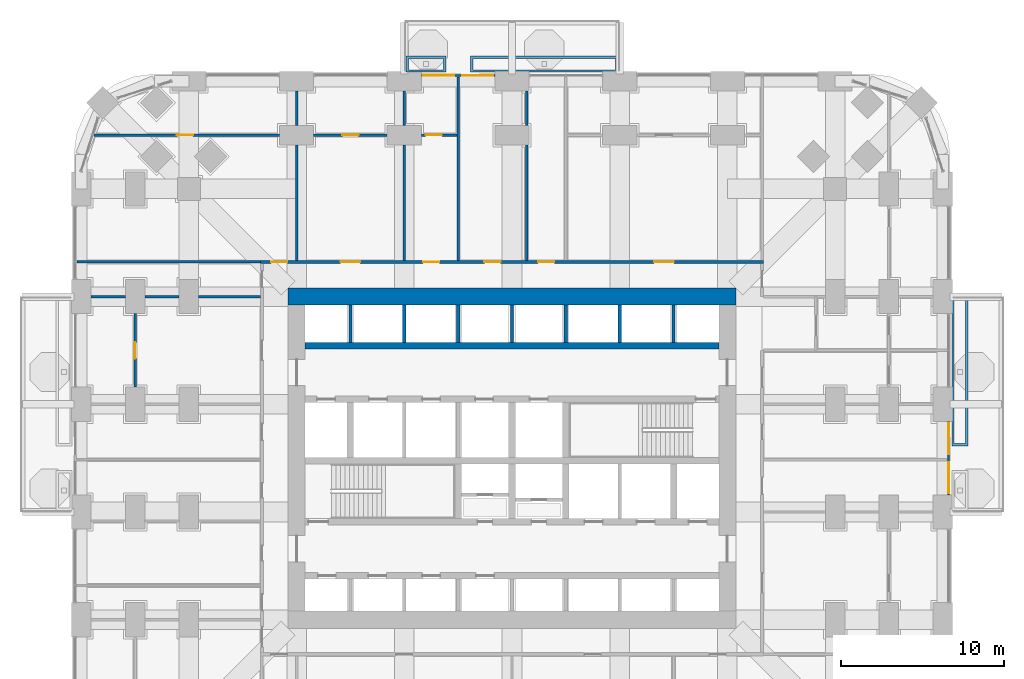
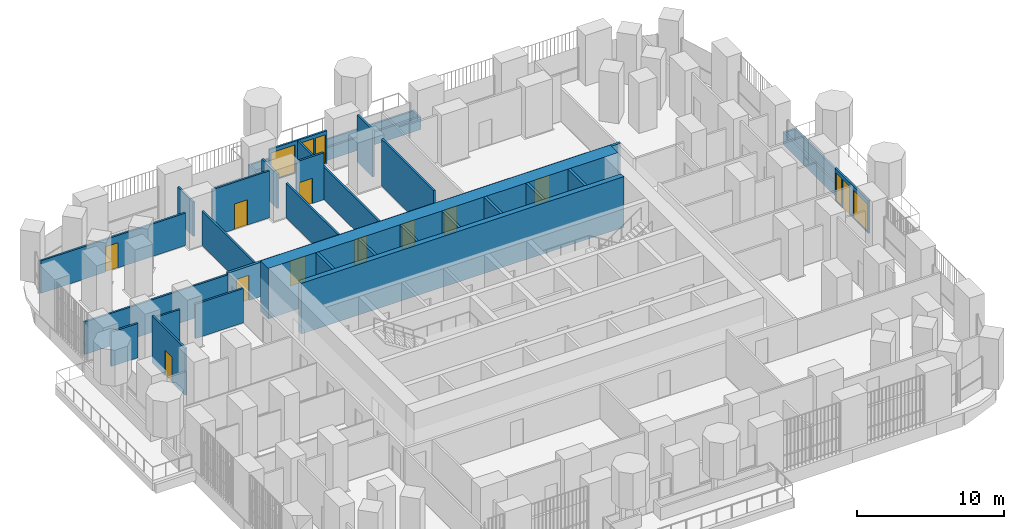
# One storey, part 20 of 26: 30 walls, 12 doors, 4 windows, 16 openings.
"""IFC4 building model written with IfcOpenShell, lengths in metres."""

from ifc_helpers import new_model, si_unit, direction, frame, frame_2d, origin, place, context, subcontext, project, spatial, polyline, rectangle, outline, extrude, material, layer, layer_set, type_object, element, fill, save


model = new_model("IFC4")

# Units and contexts
model_context = context("Model", 3, precision=1e-05, world=origin(), true_north=direction((0.0, 1.0)))
body_context = subcontext(model_context, "Body", "Model", "MODEL_VIEW")
ifc_project = project(units=[si_unit("LENGTHUNIT", "METRE"), si_unit("AREAUNIT", "SQUARE_METRE"), si_unit("VOLUMEUNIT", "CUBIC_METRE"), si_unit("PLANEANGLEUNIT", "RADIAN"), si_unit("MASSUNIT", "GRAM", prefix="KILO")], contexts=[model_context])

# Site, building, storey
site_placement = place(None, origin())
site = spatial("IfcSite", under=ifc_project, at=site_placement, CompositionType="ELEMENT")
building_placement = place(site_placement, origin())
building = spatial("IfcBuilding", under=site, at=building_placement, Name="Cobogo Forest Laboratory Tower", CompositionType="ELEMENT")
storey_placement = place(building_placement, frame((0.0, 0.0, 25.5)))
storey = spatial("IfcBuildingStorey", under=building, at=storey_placement, Name="L05", CompositionType="ELEMENT", Elevation=25.5)

# Walls
ifc_material_1 = material(Name="Concrete HA-50 (C50/60)", Category="concrete")
ifc_layer_1 = layer(ifc_material_1, 0.39990234375)
ifc_layer_set_1 = layer_set([ifc_layer_1], Name="CI400 core inner wall 400")
wall_type_1 = type_object("IfcWallType", Name="CI400 core inner wall 400", PredefinedType="SHEAR", material=ifc_layer_set_1)
wall_1_placement = place(storey_placement, frame((13.72509765625, 30.0, 0.0), z_axis=(0.0, 0.0, 1.0), x_axis=(1.0, 0.0, 0.0)))
element("IfcWall", 1, at=wall_1_placement, inside=storey, type_object=wall_type_1, Name="Core wall CI-30.0 L05", PredefinedType="SHEAR", context=body_context, shape_type="SweptSolid", body=[
    extrude(rectangle(XDim=25.349853515625, YDim=0.39990234375, at=frame_2d((12.6748046875, 0.0))), origin(), (0.0, 0.0, 1.0), 4.199951171875),
])
ifc_layer_2 = layer(ifc_material_1, 1.050048828125)
ifc_layer_set_2 = layer_set([ifc_layer_2], Name="CW1050 core outer wall 1050")
wall_type_2 = type_object("IfcWallType", Name="CW1050 core outer wall 1050", PredefinedType="SHEAR", material=ifc_layer_set_2)
wall_2_placement = place(storey_placement, frame((40.125, 33.0, 0.0), z_axis=(0.0, 0.0, 1.0), x_axis=(-1.0, 0.0, 0.0)))
element("IfcWall", 2, at=wall_2_placement, inside=storey, type_object=wall_type_2, Name="Core wall CO-N L05", PredefinedType="SHEAR", context=body_context, shape_type="SweptSolid", body=[
    extrude(rectangle(XDim=27.449951171875, YDim=1.050048828125, at=frame_2d((13.72509765625, 0.0))), origin(), (0.0, 0.0, 1.0), 4.199951171875),
])

# Wall, openings, door, windows
ifc_material_2 = material(Name="Aluminium framed glazed screen", Category="aluminium")
ifc_layer_3 = layer(ifc_material_2, 0.14990234375)
ifc_layer_set_3 = layer_set([ifc_layer_3], Name="GS1 glazed door screen 150")
wall_type_3 = type_object("IfcWallType", Name="GS1 glazed door screen 150", PredefinedType="SOLIDWALL", material=ifc_layer_set_3)
wall_3_placement = place(storey_placement, frame((53.14990234375, 20.85009765625, 0.0), z_axis=(0.0, 0.0, 1.0), x_axis=(0.0, 1.0, 0.0)))
wall_3 = element("IfcWall", 3, at=wall_3_placement, inside=storey, type_object=wall_type_3, Name="Door screen BAL-E1 L05", PredefinedType="SOLIDWALL", context=body_context, shape_type="SweptSolid", body=[
    extrude(rectangle(XDim=4.5, YDim=0.14990234375, at=frame_2d((2.25, 0.0))), origin(), (0.0, 0.0, 1.0), 2.699951171875),
])
opening_1_placement = place(wall_3_placement, frame((2.5, 0.0, 0.0)))
opening_1 = element("IfcOpeningElement", 4, at=opening_1_placement, cuts=wall_3, Name="Opening L05-D25", PredefinedType="OPENING", context=body_context, shape_type="SweptSolid", body=[
    extrude(rectangle(XDim=1.0, YDim=2.39990234375, at=frame_2d((0.5, 1.199951171875))), frame((0.0, 0.0849609375, 0.0), z_axis=(0.0, -1.0, 0.0), x_axis=(1.0, 0.0, 0.0)), (0.0, 0.0, 1.0), 0.169921875),
])
opening_2_placement = place(wall_3_placement, frame((0.10009765625, 0.0, 0.10009765625)))
opening_2 = element("IfcOpeningElement", 5, at=opening_2_placement, cuts=wall_3, Name="Opening L05-W04", PredefinedType="OPENING", context=body_context, shape_type="SweptSolid", body=[
    extrude(rectangle(XDim=1.89990234375, YDim=2.300048828125, at=frame_2d((0.949951171875, 1.14990234375))), frame((0.0, 0.0849609375, 0.0), z_axis=(0.0, -1.0, 0.0), x_axis=(1.0, 0.0, 0.0)), (0.0, 0.0, 1.0), 0.169921875),
])
opening_3_placement = place(wall_3_placement, frame((3.60009765625, 0.0, 0.10009765625)))
opening_3 = element("IfcOpeningElement", 6, at=opening_3_placement, cuts=wall_3, Name="Opening L05-W06", PredefinedType="OPENING", context=body_context, shape_type="SweptSolid", body=[
    extrude(rectangle(XDim=0.800048828125, YDim=2.300048828125, at=frame_2d((0.39990234375, 1.14990234375))), frame((0.0, 0.0849609375, 0.0), z_axis=(0.0, -1.0, 0.0), x_axis=(1.0, 0.0, 0.0)), (0.0, 0.0, 1.0), 0.169921875),
])
ifc_material_3 = material(Name="Aluminium glazed door", Category="aluminium")
door_type_1 = type_object("IfcDoorType", Name="DB1 balcony door 1000 glazed", OperationType="SINGLE_SWING_LEFT", PredefinedType="DOOR", material=ifc_material_3)
door_1_placement = place(opening_1_placement, origin())
door_1 = element("IfcDoor", 7, at=door_1_placement, inside=storey, type_object=door_type_1, Name="Door L05-BAL-E1", OperationType="SINGLE_SWING_RIGHT", OverallHeight=2.39990234375, OverallWidth=1.0, PredefinedType="DOOR", context=body_context, shape_type="SweptSolid", body=[
    extrude(rectangle(XDim=1.0, YDim=2.39990234375, at=frame_2d((0.5, 1.199951171875))), frame((0.0, 0.02490234375, 0.0), z_axis=(0.0, -1.0, 0.0), x_axis=(1.0, 0.0, 0.0)), (0.0, 0.0, 1.0), 0.050048828125),
])
fill(opening_1, door_1)
ifc_material_4 = material(Name="Aluminium framed glazing", Category="aluminium")
window_type_1 = type_object("IfcWindowType", Name="WG3 fixed glazed light 1900x2300", PartitioningType="SINGLE_PANEL", PredefinedType="WINDOW", material=ifc_material_4)
window_1_placement = place(opening_2_placement, origin())
window_1 = element("IfcWindow", 8, at=window_1_placement, inside=storey, type_object=window_type_1, Name="Window L05-BAL-E1-1", OverallHeight=2.300048828125, OverallWidth=1.89990234375, PartitioningType="SINGLE_PANEL", PredefinedType="WINDOW", context=body_context, shape_type="SweptSolid", body=[
    extrude(rectangle(XDim=1.89990234375, YDim=2.300048828125, at=frame_2d((0.949951171875, 1.14990234375))), frame((0.0, 0.030029296875, 0.0), z_axis=(0.0, -1.0, 0.0), x_axis=(1.0, 0.0, 0.0)), (0.0, 0.0, 1.0), 0.06005859375),
])
fill(opening_2, window_1)
window_type_2 = type_object("IfcWindowType", Name="WG4 fixed glazed light 800x2300", PartitioningType="SINGLE_PANEL", PredefinedType="WINDOW", material=ifc_material_4)
window_2_placement = place(opening_3_placement, origin())
window_2 = element("IfcWindow", 9, at=window_2_placement, inside=storey, type_object=window_type_2, Name="Window L05-BAL-E1-2", OverallHeight=2.300048828125, OverallWidth=0.800048828125, PartitioningType="SINGLE_PANEL", PredefinedType="WINDOW", context=body_context, shape_type="SweptSolid", body=[
    extrude(rectangle(XDim=0.800048828125, YDim=2.300048828125, at=frame_2d((0.39990234375, 1.14990234375))), frame((0.0, 0.030029296875, 0.0), z_axis=(0.0, -1.0, 0.0), x_axis=(1.0, 0.0, 0.0)), (0.0, 0.0, 1.0), 0.06005859375),
])
fill(opening_3, window_2)

wall_4_placement = place(storey_placement, frame((25.35009765625, 46.550048828125, 0.0), z_axis=(0.0, 0.0, 1.0), x_axis=(-1.0, 0.0, 0.0)))
wall_4 = element("IfcWall", 10, at=wall_4_placement, inside=storey, type_object=wall_type_3, Name="Door screen BAL-N1 L05", PredefinedType="SOLIDWALL", context=body_context, shape_type="SweptSolid", body=[
    extrude(rectangle(XDim=4.5, YDim=0.14990234375, at=frame_2d((2.25, 0.0))), origin(), (0.0, 0.0, 1.0), 2.699951171875),
])
opening_4_placement = place(wall_4_placement, frame((1.0, 0.0, 0.0)))
opening_4 = element("IfcOpeningElement", 11, at=opening_4_placement, cuts=wall_4, Name="Opening L05-D50", PredefinedType="OPENING", context=body_context, shape_type="SweptSolid", body=[
    extrude(rectangle(XDim=1.0, YDim=2.39990234375, at=frame_2d((0.5, 1.199951171875))), frame((0.0, 0.0849609375, 0.0), z_axis=(0.0, -1.0, 0.0), x_axis=(1.0, 0.0, 0.0)), (0.0, 0.0, 1.0), 0.169921875),
])
opening_5_placement = place(wall_4_placement, frame((0.10009765625, 0.0, 0.10009765625)))
opening_5 = element("IfcOpeningElement", 12, at=opening_5_placement, cuts=wall_4, Name="Opening L05-W08", PredefinedType="OPENING", context=body_context, shape_type="SweptSolid", body=[
    extrude(rectangle(XDim=0.800048828125, YDim=2.300048828125, at=frame_2d((0.39990234375, 1.14990234375))), frame((0.0, 0.0849609375, 0.0), z_axis=(0.0, -1.0, 0.0), x_axis=(1.0, 0.0, 0.0)), (0.0, 0.0, 1.0), 0.169921875),
])
opening_6_placement = place(wall_4_placement, frame((2.5, 0.0, 0.10009765625)))
opening_6 = element("IfcOpeningElement", 13, at=opening_6_placement, cuts=wall_4, Name="Opening L05-W07", PredefinedType="OPENING", context=body_context, shape_type="SweptSolid", body=[
    extrude(rectangle(XDim=1.89990234375, YDim=2.300048828125, at=frame_2d((0.949951171875, 1.14990234375))), frame((0.0, 0.0849609375, 0.0), z_axis=(0.0, -1.0, 0.0), x_axis=(1.0, 0.0, 0.0)), (0.0, 0.0, 1.0), 0.169921875),
])
door_2_placement = place(opening_4_placement, origin())
door_2 = element("IfcDoor", 14, at=door_2_placement, inside=storey, type_object=door_type_1, Name="Door L05-BAL-N1", OperationType="SINGLE_SWING_LEFT", OverallHeight=2.39990234375, OverallWidth=1.0, PredefinedType="DOOR", context=body_context, shape_type="SweptSolid", body=[
    extrude(rectangle(XDim=1.0, YDim=2.39990234375, at=frame_2d((0.5, 1.199951171875))), frame((0.0, 0.02490234375, 0.0), z_axis=(0.0, -1.0, 0.0), x_axis=(1.0, 0.0, 0.0)), (0.0, 0.0, 1.0), 0.050048828125),
])
fill(opening_4, door_2)
window_3_placement = place(opening_6_placement, origin())
window_3 = element("IfcWindow", 15, at=window_3_placement, inside=storey, type_object=window_type_1, Name="Window L05-BAL-N1-2", OverallHeight=2.300048828125, OverallWidth=1.89990234375, PartitioningType="SINGLE_PANEL", PredefinedType="WINDOW", context=body_context, shape_type="SweptSolid", body=[
    extrude(rectangle(XDim=1.89990234375, YDim=2.300048828125, at=frame_2d((0.949951171875, 1.14990234375))), frame((0.0, 0.030029296875, 0.0), z_axis=(0.0, -1.0, 0.0), x_axis=(1.0, 0.0, 0.0)), (0.0, 0.0, 1.0), 0.06005859375),
])
fill(opening_6, window_3)
window_4_placement = place(opening_5_placement, origin())
window_4 = element("IfcWindow", 16, at=window_4_placement, inside=storey, type_object=window_type_2, Name="Window L05-BAL-N1-1", OverallHeight=2.300048828125, OverallWidth=0.800048828125, PartitioningType="SINGLE_PANEL", PredefinedType="WINDOW", context=body_context, shape_type="SweptSolid", body=[
    extrude(rectangle(XDim=0.800048828125, YDim=2.300048828125, at=frame_2d((0.39990234375, 1.14990234375))), frame((0.0, 0.030029296875, 0.0), z_axis=(0.0, -1.0, 0.0), x_axis=(1.0, 0.0, 0.0)), (0.0, 0.0, 1.0), 0.06005859375),
])
fill(opening_5, window_4)

# Wall
ifc_material_5 = material(Name="Gypsum board on steel studs", Category="steel")
ifc_layer_4 = layer(ifc_material_5, 0.14990234375)
ifc_layer_set_4 = layer_set([ifc_layer_4], Name="PT1 laboratory partition 150")
wall_type_4 = type_object("IfcWallType", Name="PT1 laboratory partition 150", PredefinedType="PARTITIONING", material=ifc_layer_set_4)
wall_5_placement = place(storey_placement, frame((-0.27001953125, 35.125, 0.0), z_axis=(0.0, 0.0, 1.0), x_axis=(1.0, 0.0, 0.0)))
element("IfcWall", 17, at=wall_5_placement, inside=storey, type_object=wall_type_4, Name="Partition PW-NW L05", PredefinedType="PARTITIONING", context=body_context, shape_type="SweptSolid", body=[
    extrude(rectangle(XDim=11.2451171875, YDim=0.14990234375, at=frame_2d((5.62255859375, 0.0))), origin(), (0.0, 0.0, 1.0), 2.699951171875),
])

# Wall, opening, door
wall_6_placement = place(storey_placement, frame((23.02490234375, 42.89990234375, 0.0), z_axis=(0.0, 0.0, 1.0), x_axis=(-1.0, 0.0, 0.0)))
wall_6 = element("IfcWall", 18, at=wall_6_placement, inside=storey, type_object=wall_type_4, Name="Partition STRIP-N-4 L05", PredefinedType="PARTITIONING", context=body_context, shape_type="SweptSolid", body=[
    extrude(rectangle(XDim=2.1748046875, YDim=0.14990234375, at=frame_2d((1.08740234375, 0.0))), origin(), (0.0, 0.0, 1.0), 3.89990234375),
])
opening_7_placement = place(wall_6_placement, frame((0.925048828125, 0.0, 0.0)))
opening_7 = element("IfcOpeningElement", 19, at=opening_7_placement, cuts=wall_6, Name="Opening L05-D48", PredefinedType="OPENING", context=body_context, shape_type="SweptSolid", body=[
    extrude(rectangle(XDim=1.0, YDim=2.10009765625, at=frame_2d((0.5, 1.050048828125))), frame((0.0, 0.0849609375, 0.0), z_axis=(0.0, -1.0, 0.0), x_axis=(1.0, 0.0, 0.0)), (0.0, 0.0, 1.0), 0.169921875),
])
ifc_material_6 = material(Name="Timber fire door", Category="wood")
door_type_2 = type_object("IfcDoorType", Name="FD2 fire door 1000 EI2 30", OperationType="SINGLE_SWING_LEFT", PredefinedType="DOOR", material=ifc_material_6)
door_3_placement = place(opening_7_placement, origin())
door_3 = element("IfcDoor", 20, at=door_3_placement, inside=storey, type_object=door_type_2, Name="Door L05-N3W", OperationType="SINGLE_SWING_RIGHT", OverallHeight=2.10009765625, OverallWidth=1.0, PredefinedType="DOOR", context=body_context, shape_type="SweptSolid", body=[
    extrude(rectangle(XDim=1.0, YDim=2.10009765625, at=frame_2d((0.5, 1.050048828125))), frame((0.0, 0.02490234375, 0.0), z_axis=(0.0, -1.0, 0.0), x_axis=(1.0, 0.0, 0.0)), (0.0, 0.0, 1.0), 0.050048828125),
])
fill(opening_7, door_3)

wall_7_placement = place(storey_placement, frame((18.75, 42.89990234375, 0.0), z_axis=(0.0, 0.0, 1.0), x_axis=(-1.0, 0.0, 0.0)))
wall_7 = element("IfcWall", 21, at=wall_7_placement, inside=storey, type_object=wall_type_4, Name="Partition STRIP-N-5 L05", PredefinedType="PARTITIONING", context=body_context, shape_type="SweptSolid", body=[
    extrude(rectangle(XDim=4.5, YDim=0.14990234375, at=frame_2d((2.25, 0.0))), origin(), (0.0, 0.0, 1.0), 3.89990234375),
])
opening_8_placement = place(wall_7_placement, frame((1.75, 0.0, 0.0)))
opening_8 = element("IfcOpeningElement", 22, at=opening_8_placement, cuts=wall_7, Name="Opening L05-D47", PredefinedType="OPENING", context=body_context, shape_type="SweptSolid", body=[
    extrude(rectangle(XDim=1.0, YDim=2.10009765625, at=frame_2d((0.5, 1.050048828125))), frame((0.0, 0.0849609375, 0.0), z_axis=(0.0, -1.0, 0.0), x_axis=(1.0, 0.0, 0.0)), (0.0, 0.0, 1.0), 0.169921875),
])
door_4_placement = place(opening_8_placement, origin())
door_4 = element("IfcDoor", 23, at=door_4_placement, inside=storey, type_object=door_type_2, Name="Door L05-N2W", OperationType="SINGLE_SWING_LEFT", OverallHeight=2.10009765625, OverallWidth=1.0, PredefinedType="DOOR", context=body_context, shape_type="SweptSolid", body=[
    extrude(rectangle(XDim=1.0, YDim=2.10009765625, at=frame_2d((0.5, 1.050048828125))), frame((0.0, 0.02490234375, 0.0), z_axis=(0.0, -1.0, 0.0), x_axis=(1.0, 0.0, 0.0)), (0.0, 0.0, 1.0), 0.050048828125),
])
fill(opening_8, door_4)

wall_8_placement = place(storey_placement, frame((12.14990234375, 42.89990234375, 0.0), z_axis=(0.0, 0.0, 1.0), x_axis=(-1.0, 0.0, 0.0)))
wall_8 = element("IfcWall", 24, at=wall_8_placement, inside=storey, type_object=wall_type_4, Name="Partition STRIP-N-6 L05", PredefinedType="PARTITIONING", context=body_context, shape_type="SweptSolid", body=[
    extrude(rectangle(XDim=11.373779296875, YDim=0.14990234375, at=frame_2d((5.68701171875, 0.0))), origin(), (0.0, 0.0, 1.0), 2.699951171875),
])
opening_9_placement = place(wall_8_placement, frame((5.2919921875, 0.0, 0.0)))
opening_9 = element("IfcOpeningElement", 25, at=opening_9_placement, cuts=wall_8, Name="Opening L05-D46", PredefinedType="OPENING", context=body_context, shape_type="SweptSolid", body=[
    extrude(rectangle(XDim=1.0, YDim=2.10009765625, at=frame_2d((0.5, 1.050048828125))), frame((0.0, 0.0849609375, 0.0), z_axis=(0.0, -1.0, 0.0), x_axis=(1.0, 0.0, 0.0)), (0.0, 0.0, 1.0), 0.169921875),
])
door_5_placement = place(opening_9_placement, origin())
door_5 = element("IfcDoor", 26, at=door_5_placement, inside=storey, type_object=door_type_2, Name="Door L05-N1W", OperationType="SINGLE_SWING_RIGHT", OverallHeight=2.10009765625, OverallWidth=1.0, PredefinedType="DOOR", context=body_context, shape_type="SweptSolid", body=[
    extrude(rectangle(XDim=1.0, YDim=2.10009765625, at=frame_2d((0.5, 1.050048828125))), frame((0.0, 0.02490234375, 0.0), z_axis=(0.0, -1.0, 0.0), x_axis=(1.0, 0.0, 0.0)), (0.0, 0.0, 1.0), 0.050048828125),
])
fill(opening_9, door_5)

# Walls
wall_9_placement = place(storey_placement, frame((27.300048828125, 45.60009765625, 0.0), z_axis=(0.0, 0.0, 1.0), x_axis=(0.0, -1.0, 0.0)))
element("IfcWall", 27, at=wall_9_placement, inside=storey, type_object=wall_type_4, Name="Partition SVC-N1-1 L05", PredefinedType="PARTITIONING", context=body_context, shape_type="SweptSolid", body=[
    extrude(rectangle(XDim=2.10009765625, YDim=0.14990234375, at=frame_2d((1.050048828125, 0.0))), origin(), (0.0, 0.0, 1.0), 3.89990234375),
])
wall_10_placement = place(storey_placement, frame((27.300048828125, 42.300048828125, 0.0), z_axis=(0.0, 0.0, 1.0), x_axis=(0.0, -1.0, 0.0)))
element("IfcWall", 28, at=wall_10_placement, inside=storey, type_object=wall_type_4, Name="Partition SVC-N1-2 L05", PredefinedType="PARTITIONING", context=body_context, shape_type="SweptSolid", body=[
    extrude(rectangle(XDim=7.074951171875, YDim=0.14990234375, at=frame_2d((3.53759765625, 0.0))), origin(), (0.0, 0.0, 1.0), 3.89990234375),
])
wall_11_placement = place(storey_placement, frame((13.199951171875, 45.60009765625, 0.0), z_axis=(0.0, 0.0, 1.0), x_axis=(0.0, -1.0, 0.0)))
element("IfcWall", 29, at=wall_11_placement, inside=storey, type_object=wall_type_4, Name="Partition CUT-N13.2a-1 L05", PredefinedType="PARTITIONING", context=body_context, shape_type="SweptSolid", body=[
    extrude(rectangle(XDim=2.10009765625, YDim=0.14990234375, at=frame_2d((1.050048828125, 0.0))), origin(), (0.0, 0.0, 1.0), 2.85009765625),
])
wall_12_placement = place(storey_placement, frame((13.199951171875, 42.300048828125, 0.0), z_axis=(0.0, 0.0, 1.0), x_axis=(0.0, -1.0, 0.0)))
element("IfcWall", 30, at=wall_12_placement, inside=storey, type_object=wall_type_4, Name="Partition CUT-N13.2b-1 L05", PredefinedType="PARTITIONING", context=body_context, shape_type="SweptSolid", body=[
    extrude(rectangle(XDim=7.074951171875, YDim=0.14990234375, at=frame_2d((3.53759765625, 0.0))), origin(), (0.0, 0.0, 1.0), 2.85009765625),
])
wall_13_placement = place(storey_placement, frame((19.800048828125, 45.60009765625, 0.0), z_axis=(0.0, 0.0, 1.0), x_axis=(0.0, -1.0, 0.0)))
element("IfcWall", 31, at=wall_13_placement, inside=storey, type_object=wall_type_4, Name="Partition CUT-N19.8a-1 L05", PredefinedType="PARTITIONING", context=body_context, shape_type="SweptSolid", body=[
    extrude(rectangle(XDim=2.10009765625, YDim=0.14990234375, at=frame_2d((1.050048828125, 0.0))), origin(), (0.0, 0.0, 1.0), 2.85009765625),
])
wall_14_placement = place(storey_placement, frame((19.800048828125, 42.300048828125, 0.0), z_axis=(0.0, 0.0, 1.0), x_axis=(0.0, -1.0, 0.0)))
element("IfcWall", 32, at=wall_14_placement, inside=storey, type_object=wall_type_4, Name="Partition CUT-N19.8b-1 L05", PredefinedType="PARTITIONING", context=body_context, shape_type="SweptSolid", body=[
    extrude(rectangle(XDim=7.074951171875, YDim=0.14990234375, at=frame_2d((3.53759765625, 0.0))), origin(), (0.0, 0.0, 1.0), 2.85009765625),
])
wall_15_placement = place(storey_placement, frame((23.10009765625, 46.469970703125, 0.0), z_axis=(0.0, 0.0, 1.0), x_axis=(0.0, -1.0, 0.0)))
element("IfcWall", 33, at=wall_15_placement, inside=storey, type_object=wall_type_4, Name="Partition CUT-N23.1-1 L05", PredefinedType="PARTITIONING", context=body_context, shape_type="SweptSolid", body=[
    extrude(rectangle(XDim=11.244873046875, YDim=0.14990234375, at=frame_2d((5.62255859375, 0.0))), origin(), (0.0, 0.0, 1.0), 2.699951171875),
])

# Wall, opening, door
wall_16_placement = place(storey_placement, frame((3.300048828125, 31.949951171875, 0.0), z_axis=(0.0, 0.0, 1.0), x_axis=(0.0, -1.0, 0.0)))
wall_16 = element("IfcWall", 34, at=wall_16_placement, inside=storey, type_object=wall_type_4, Name="Partition STRIP-W-1 L05", PredefinedType="PARTITIONING", context=body_context, shape_type="SweptSolid", body=[
    extrude(rectangle(XDim=4.5, YDim=0.14990234375, at=frame_2d((2.25, 0.0))), origin(), (0.0, 0.0, 1.0), 3.89990234375),
])
opening_10_placement = place(wall_16_placement, frame((1.75, 0.0, 0.0)))
opening_10 = element("IfcOpeningElement", 35, at=opening_10_placement, cuts=wall_16, Name="Opening L05-D33", PredefinedType="OPENING", context=body_context, shape_type="SweptSolid", body=[
    extrude(rectangle(XDim=1.0, YDim=2.10009765625, at=frame_2d((0.5, 1.050048828125))), frame((0.0, 0.0849609375, 0.0), z_axis=(0.0, -1.0, 0.0), x_axis=(1.0, 0.0, 0.0)), (0.0, 0.0, 1.0), 0.169921875),
])
door_6_placement = place(opening_10_placement, origin())
door_6 = element("IfcDoor", 36, at=door_6_placement, inside=storey, type_object=door_type_2, Name="Door L05-W3W", OperationType="SINGLE_SWING_LEFT", OverallHeight=2.10009765625, OverallWidth=1.0, PredefinedType="DOOR", context=body_context, shape_type="SweptSolid", body=[
    extrude(rectangle(XDim=1.0, YDim=2.10009765625, at=frame_2d((0.5, 1.050048828125))), frame((0.0, 0.02490234375, 0.0), z_axis=(0.0, -1.0, 0.0), x_axis=(1.0, 0.0, 0.0)), (0.0, 0.0, 1.0), 0.050048828125),
])
fill(opening_10, door_6)

# Walls
wall_17_placement = place(storey_placement, frame((0.60009765625, 33.0, 0.0), z_axis=(0.0, 0.0, 1.0), x_axis=(1.0, 0.0, 0.0)))
element("IfcWall", 37, at=wall_17_placement, inside=storey, type_object=wall_type_4, Name="Partition CUT-W33-1 L05", PredefinedType="PARTITIONING", context=body_context, shape_type="SweptSolid", body=[
    extrude(rectangle(XDim=2.099853515625, YDim=0.14990234375, at=frame_2d((1.0498046875, 0.0))), origin(), (0.0, 0.0, 1.0), 2.85009765625),
])
wall_18_placement = place(storey_placement, frame((3.89990234375, 33.0, 0.0), z_axis=(0.0, 0.0, 1.0), x_axis=(1.0, 0.0, 0.0)))
element("IfcWall", 38, at=wall_18_placement, inside=storey, type_object=wall_type_4, Name="Partition CUT-W33-2 L05", PredefinedType="PARTITIONING", context=body_context, shape_type="SweptSolid", body=[
    extrude(rectangle(XDim=2.10009765625, YDim=0.14990234375, at=frame_2d((1.050048828125, 0.0))), origin(), (0.0, 0.0, 1.0), 2.85009765625),
])
wall_19_placement = place(storey_placement, frame((7.199951171875, 33.0, 0.0), z_axis=(0.0, 0.0, 1.0), x_axis=(1.0, 0.0, 0.0)))
element("IfcWall", 39, at=wall_19_placement, inside=storey, type_object=wall_type_4, Name="Partition CUT-W33-3 L05", PredefinedType="PARTITIONING", context=body_context, shape_type="SweptSolid", body=[
    extrude(rectangle(XDim=3.775146484375, YDim=0.14990234375, at=frame_2d((1.8876953125, 0.0))), origin(), (0.0, 0.0, 1.0), 2.85009765625),
])

# Wall, openings, doors
ifc_layer_5 = layer(ifc_material_5, 0.199951171875)
ifc_layer_set_5 = layer_set([ifc_layer_5], Name="PT2 fire-rated corridor partition 200")
wall_type_5 = type_object("IfcWallType", Name="PT2 fire-rated corridor partition 200", PredefinedType="PARTITIONING", material=ifc_layer_set_5)
wall_20_placement = place(storey_placement, frame((10.97509765625, 35.125, 0.0), z_axis=(0.0, 0.0, 1.0), x_axis=(1.0, 0.0, 0.0)))
wall_20 = element("IfcWall", 40, at=wall_20_placement, inside=storey, type_object=wall_type_5, Name="Partition CORR-N L05", PredefinedType="PARTITIONING", context=body_context, shape_type="SweptSolid", body=[
    extrude(rectangle(XDim=30.849853515625, YDim=0.199951171875, at=frame_2d((15.4248046875, 0.0))), origin(), (0.0, 0.0, 1.0), 2.85009765625),
])
opening_11_placement = place(wall_20_placement, frame((0.66259765625, 0.0, 0.0)))
opening_11 = element("IfcOpeningElement", 41, at=opening_11_placement, cuts=wall_20, Name="Opening L05-D39", PredefinedType="OPENING", context=body_context, shape_type="SweptSolid", body=[
    extrude(rectangle(XDim=1.0, YDim=2.10009765625, at=frame_2d((0.5, 1.050048828125))), frame((0.0, 0.10986328125, 0.0), z_axis=(0.0, -1.0, 0.0), x_axis=(1.0, 0.0, 0.0)), (0.0, 0.0, 1.0), 0.219970703125),
])
opening_12_placement = place(wall_20_placement, frame((4.925048828125, 0.0, 0.0)))
opening_12 = element("IfcOpeningElement", 42, at=opening_12_placement, cuts=wall_20, Name="Opening L05-D40", PredefinedType="OPENING", context=body_context, shape_type="SweptSolid", body=[
    extrude(rectangle(XDim=1.199951171875, YDim=2.10009765625, at=frame_2d((0.60009765625, 1.050048828125))), frame((0.0, 0.10986328125, 0.0), z_axis=(0.0, -1.0, 0.0), x_axis=(1.0, 0.0, 0.0)), (0.0, 0.0, 1.0), 0.219970703125),
])
opening_13_placement = place(wall_20_placement, frame((9.97509765625, 0.0, 0.0)))
opening_13 = element("IfcOpeningElement", 43, at=opening_13_placement, cuts=wall_20, Name="Opening L05-D41", PredefinedType="OPENING", context=body_context, shape_type="SweptSolid", body=[
    extrude(rectangle(XDim=1.0, YDim=2.10009765625, at=frame_2d((0.5, 1.050048828125))), frame((0.0, 0.10986328125, 0.0), z_axis=(0.0, -1.0, 0.0), x_axis=(1.0, 0.0, 0.0)), (0.0, 0.0, 1.0), 0.219970703125),
])
opening_14_placement = place(wall_20_placement, frame((13.72509765625, 0.0, 0.0)))
opening_14 = element("IfcOpeningElement", 44, at=opening_14_placement, cuts=wall_20, Name="Opening L05-D42", PredefinedType="OPENING", context=body_context, shape_type="SweptSolid", body=[
    extrude(rectangle(XDim=1.0, YDim=2.10009765625, at=frame_2d((0.5, 1.050048828125))), frame((0.0, 0.10986328125, 0.0), z_axis=(0.0, -1.0, 0.0), x_axis=(1.0, 0.0, 0.0)), (0.0, 0.0, 1.0), 0.219970703125),
])
opening_15_placement = place(wall_20_placement, frame((17.02490234375, 0.0, 0.0)))
opening_15 = element("IfcOpeningElement", 45, at=opening_15_placement, cuts=wall_20, Name="Opening L05-D43", PredefinedType="OPENING", context=body_context, shape_type="SweptSolid", body=[
    extrude(rectangle(XDim=1.0, YDim=2.10009765625, at=frame_2d((0.5, 1.050048828125))), frame((0.0, 0.10986328125, 0.0), z_axis=(0.0, -1.0, 0.0), x_axis=(1.0, 0.0, 0.0)), (0.0, 0.0, 1.0), 0.219970703125),
])
opening_16_placement = place(wall_20_placement, frame((24.137451171875, 0.0, 0.0)))
opening_16 = element("IfcOpeningElement", 46, at=opening_16_placement, cuts=wall_20, Name="Opening L05-D44", PredefinedType="OPENING", context=body_context, shape_type="SweptSolid", body=[
    extrude(rectangle(XDim=1.199951171875, YDim=2.10009765625, at=frame_2d((0.60009765625, 1.050048828125))), frame((0.0, 0.10986328125, 0.0), z_axis=(0.0, -1.0, 0.0), x_axis=(1.0, 0.0, 0.0)), (0.0, 0.0, 1.0), 0.219970703125),
])
ifc_material_7 = material(Name="Timber door", Category="wood")
door_type_3 = type_object("IfcDoorType", Name="D2 laboratory door 1200 unequal pair", OperationType="DOUBLE_DOOR_SINGLE_SWING", PredefinedType="DOOR", material=ifc_material_7)
door_7_placement = place(opening_12_placement, origin())
door_7 = element("IfcDoor", 47, at=door_7_placement, inside=storey, type_object=door_type_3, Name="Door L05-N2", OperationType="DOUBLE_DOOR_SINGLE_SWING", OverallHeight=2.10009765625, OverallWidth=1.199951171875, PredefinedType="DOOR", context=body_context, shape_type="SweptSolid", body=[
    extrude(rectangle(XDim=1.199951171875, YDim=2.10009765625, at=frame_2d((0.60009765625, 1.050048828125))), frame((0.0, 0.02490234375, 0.0), z_axis=(0.0, -1.0, 0.0), x_axis=(1.0, 0.0, 0.0)), (0.0, 0.0, 1.0), 0.050048828125),
])
fill(opening_12, door_7)
door_8_placement = place(opening_16_placement, origin())
door_8 = element("IfcDoor", 48, at=door_8_placement, inside=storey, type_object=door_type_3, Name="Door L05-N5", OperationType="DOUBLE_DOOR_SINGLE_SWING", OverallHeight=2.10009765625, OverallWidth=1.199951171875, PredefinedType="DOOR", context=body_context, shape_type="SweptSolid", body=[
    extrude(rectangle(XDim=1.199951171875, YDim=2.10009765625, at=frame_2d((0.60009765625, 1.050048828125))), frame((0.0, 0.02490234375, 0.0), z_axis=(0.0, -1.0, 0.0), x_axis=(1.0, 0.0, 0.0)), (0.0, 0.0, 1.0), 0.050048828125),
])
fill(opening_16, door_8)
ifc_material_8 = material(Name="Steel fire door", Category="steel")
door_type_4 = type_object("IfcDoorType", Name="FD1 fire door 1000 EI2 60", OperationType="SINGLE_SWING_LEFT", PredefinedType="DOOR", material=ifc_material_8)
door_9_placement = place(opening_13_placement, origin())
door_9 = element("IfcDoor", 49, at=door_9_placement, inside=storey, type_object=door_type_4, Name="Door L05-N3", OperationType="SINGLE_SWING_LEFT", OverallHeight=2.10009765625, OverallWidth=1.0, PredefinedType="DOOR", context=body_context, shape_type="SweptSolid", body=[
    extrude(rectangle(XDim=1.0, YDim=2.10009765625, at=frame_2d((0.5, 1.050048828125))), frame((0.0, 0.02490234375, 0.0), z_axis=(0.0, -1.0, 0.0), x_axis=(1.0, 0.0, 0.0)), (0.0, 0.0, 1.0), 0.050048828125),
])
fill(opening_13, door_9)
door_10_placement = place(opening_11_placement, origin())
door_10 = element("IfcDoor", 50, at=door_10_placement, inside=storey, type_object=door_type_2, Name="Door L05-N1", OperationType="SINGLE_SWING_LEFT", OverallHeight=2.10009765625, OverallWidth=1.0, PredefinedType="DOOR", context=body_context, shape_type="SweptSolid", body=[
    extrude(rectangle(XDim=1.0, YDim=2.10009765625, at=frame_2d((0.5, 1.050048828125))), frame((0.0, 0.02490234375, 0.0), z_axis=(0.0, -1.0, 0.0), x_axis=(1.0, 0.0, 0.0)), (0.0, 0.0, 1.0), 0.050048828125),
])
fill(opening_11, door_10)
door_11_placement = place(opening_14_placement, origin())
door_11 = element("IfcDoor", 51, at=door_11_placement, inside=storey, type_object=door_type_2, Name="Door L05-MTG", OperationType="SINGLE_SWING_LEFT", OverallHeight=2.10009765625, OverallWidth=1.0, PredefinedType="DOOR", context=body_context, shape_type="SweptSolid", body=[
    extrude(rectangle(XDim=1.0, YDim=2.10009765625, at=frame_2d((0.5, 1.050048828125))), frame((0.0, 0.02490234375, 0.0), z_axis=(0.0, -1.0, 0.0), x_axis=(1.0, 0.0, 0.0)), (0.0, 0.0, 1.0), 0.050048828125),
])
fill(opening_14, door_11)
door_12_placement = place(opening_15_placement, origin())
door_12 = element("IfcDoor", 52, at=door_12_placement, inside=storey, type_object=door_type_2, Name="Door L05-PAN", OperationType="SINGLE_SWING_RIGHT", OverallHeight=2.10009765625, OverallWidth=1.0, PredefinedType="DOOR", context=body_context, shape_type="SweptSolid", body=[
    extrude(rectangle(XDim=1.0, YDim=2.10009765625, at=frame_2d((0.5, 1.050048828125))), frame((0.0, 0.02490234375, 0.0), z_axis=(0.0, -1.0, 0.0), x_axis=(1.0, 0.0, 0.0)), (0.0, 0.0, 1.0), 0.050048828125),
])
fill(opening_15, door_12)

# Walls
ifc_material_9 = material(Name="Concrete HA-40 (C40/50)", Category="concrete")
ifc_layer_6 = layer(ifc_material_9, 0.14990234375)
ifc_layer_set_6 = layer_set([ifc_layer_6], Name="Planter box 1000x1050")
wall_type_6 = type_object("IfcWallType", Name="Planter box 1000x1050", PredefinedType="USERDEFINED", material=ifc_layer_set_6)
wall_21_placement = place(storey_placement, origin())
element("IfcWall", 53, at=wall_21_placement, inside=storey, type_object=wall_type_6, Name="Planter BAL-E1-2 L05", ObjectType="PLANTER", PredefinedType="USERDEFINED", context=body_context, shape_type="SweptSolid", body=[
    extrude(outline(polyline([(53.35009765625, 23.85009765625), (54.35009765625, 23.85009765625), (54.35009765625, 32.89990234375), (53.35009765625, 32.89990234375), (53.35009765625, 23.85009765625)]), holes=[polyline([(53.5, 24.0), (54.199951171875, 24.0), (54.199951171875, 32.75), (53.5, 32.75), (53.5, 24.0)])]), origin(), (0.0, 0.0, 1.0), 1.050048828125),
])
wall_22_placement = place(storey_placement, origin())
element("IfcWall", 54, at=wall_22_placement, inside=storey, type_object=wall_type_6, Name="Planter BAL-N1-1 L05", ObjectType="PLANTER", PredefinedType="USERDEFINED", context=body_context, shape_type="SweptSolid", body=[
    extrude(outline(polyline([(19.89990234375, 46.75), (22.35009765625, 46.75), (22.35009765625, 47.75), (19.89990234375, 47.75), (19.89990234375, 46.75)]), holes=[polyline([(20.050048828125, 46.89990234375), (22.199951171875, 46.89990234375), (22.199951171875, 47.60009765625), (20.050048828125, 47.60009765625), (20.050048828125, 46.89990234375)])]), origin(), (0.0, 0.0, 1.0), 1.050048828125),
])
wall_23_placement = place(storey_placement, origin())
element("IfcWall", 55, at=wall_23_placement, inside=storey, type_object=wall_type_6, Name="Planter BAL-N1-2 L05", ObjectType="PLANTER", PredefinedType="USERDEFINED", context=body_context, shape_type="SweptSolid", body=[
    extrude(outline(polyline([(23.85009765625, 46.75), (32.89990234375, 46.75), (32.89990234375, 47.75), (23.85009765625, 47.75), (23.85009765625, 46.75)]), holes=[polyline([(24.0, 46.89990234375), (32.75, 46.89990234375), (32.75, 47.60009765625), (24.0, 47.60009765625), (24.0, 46.89990234375)])]), origin(), (0.0, 0.0, 1.0), 1.050048828125),
])
ifc_material_10 = material(Name="Concrete block", Category="concrete")
ifc_layer_7 = layer(ifc_material_10, 0.199951171875)
ifc_layer_set_7 = layer_set([ifc_layer_7], Name="SW200 lift shaft separator 200")
wall_type_7 = type_object("IfcWallType", Name="SW200 lift shaft separator 200", PredefinedType="PARTITIONING", material=ifc_layer_set_7)
for number, where, z_axis, x_axis, name in (
    (56, (16.5, 30.199951171875, 0.0), (0.0, 0.0, 1.0), (0.0, 1.0, 0.0), "Core wall SEP-N1 L05"),
    (57, (19.800048828125, 30.199951171875, 0.0), (0.0, 0.0, 1.0), (0.0, 1.0, 0.0), "Core wall SEP-N2 L05"),
    (58, (23.10009765625, 30.199951171875, 0.0), (0.0, 0.0, 1.0), (0.0, 1.0, 0.0), "Core wall SEP-N3 L05"),
    (59, (26.39990234375, 30.199951171875, 0.0), (0.0, 0.0, 1.0), (0.0, 1.0, 0.0), "Core wall SEP-N4 L05"),
    (60, (29.699951171875, 30.199951171875, 0.0), (0.0, 0.0, 1.0), (0.0, 1.0, 0.0), "Core wall SEP-N5 L05"),
    (61, (33.0, 30.199951171875, 0.0), (0.0, 0.0, 1.0), (0.0, 1.0, 0.0), "Core wall SEP-N6 L05"),
    (62, (36.300048828125, 30.199951171875, 0.0), (0.0, 0.0, 1.0), (0.0, 1.0, 0.0), "Core wall SEP-N7 L05"),
):
    element("IfcWall", number, at=place(storey_placement, frame(where, z_axis=z_axis, x_axis=x_axis)), inside=storey, type_object=wall_type_7, Name=name, PredefinedType="PARTITIONING", context=body_context, shape_type="SweptSolid", body=[
        extrude(rectangle(XDim=2.275146484375, YDim=0.199951171875, at=frame_2d((1.1376953125, 0.0))), origin(), (0.0, 0.0, 1.0), 4.199951171875),
    ])

save(model, "model.ifc")
